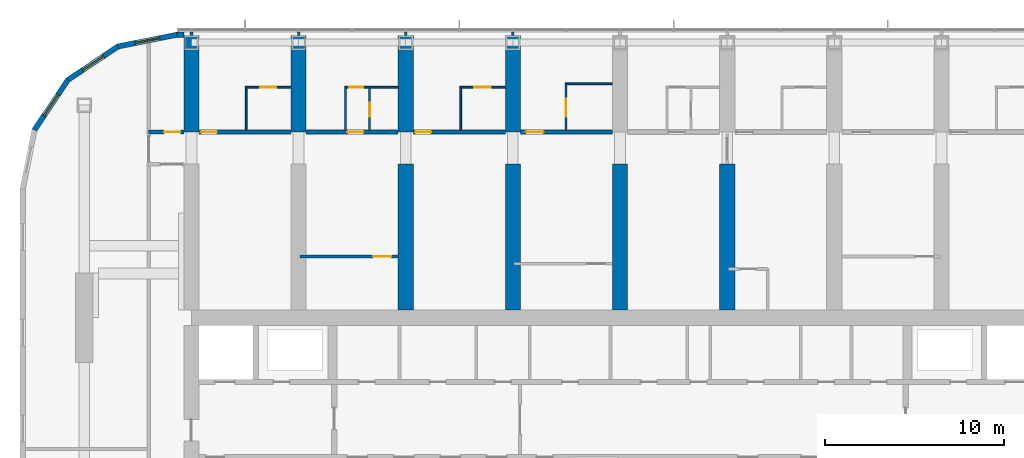
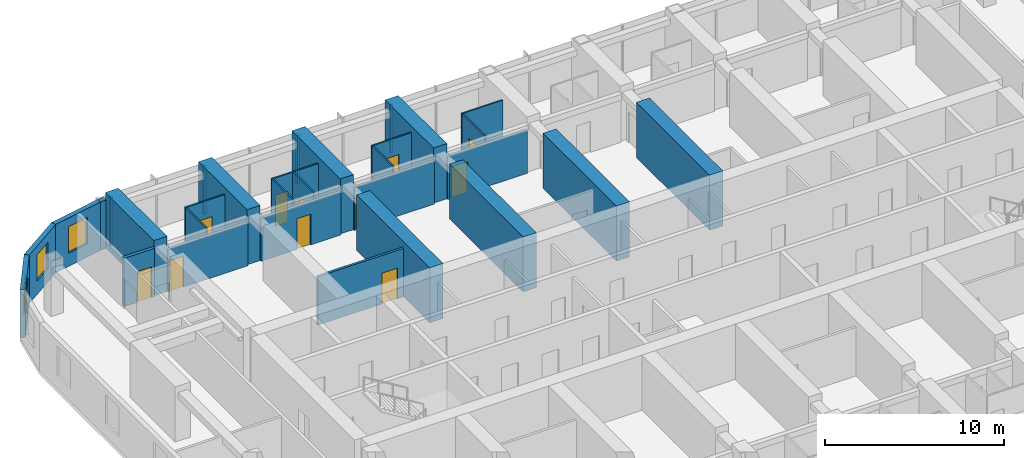
# One storey, part 15 of 22: 31 walls, 11 doors, 3 windows, 14 openings.
"""IFC4 building model written with IfcOpenShell, lengths in metres."""

from ifc_helpers import new_model, si_unit, direction, frame, frame_2d, origin, place, context, subcontext, project, spatial, polyline, rectangle, outline, extrude, material, layer, layer_set, type_object, element, fill, save


model = new_model("IFC4")

# Units and contexts
model_context = context("Model", 3, precision=1e-05, world=origin(), true_north=direction((0.0, 1.0)))
body_context = subcontext(model_context, "Body", "Model", "MODEL_VIEW")
ifc_project = project(units=[si_unit("LENGTHUNIT", "METRE"), si_unit("AREAUNIT", "SQUARE_METRE"), si_unit("VOLUMEUNIT", "CUBIC_METRE"), si_unit("PLANEANGLEUNIT", "RADIAN"), si_unit("MASSUNIT", "GRAM", prefix="KILO")], contexts=[model_context])

# Site, building, storey
site_placement = place(None, origin())
site = spatial("IfcSite", under=ifc_project, at=site_placement, CompositionType="ELEMENT")
building_placement = place(site_placement, origin())
building = spatial("IfcBuilding", under=site, at=building_placement, Name="Orbita Commons", CompositionType="ELEMENT")
storey_placement = place(building_placement, frame((0.0, 0.0, 144.85009765625)))
storey = spatial("IfcBuildingStorey", under=building, at=storey_placement, Name="L35", CompositionType="ELEMENT", Elevation=144.85009765625)

# Wall, opening, door
ifc_material_1 = material(Name="Concrete blockwork", Category="masonry")
ifc_layer_1 = layer(ifc_material_1, 0.199951171875)
ifc_layer_set_1 = layer_set([ifc_layer_1], Name="Concrete blockwork")
wall_type_1 = type_object("IfcWallType", Name="Corridor wall 200 blockwork", PredefinedType="SOLIDWALL", material=ifc_layer_set_1)
wall_1_placement = place(storey_placement, frame((15.60009765625, 48.60009765625, 0.0), z_axis=(0.0, 0.0, 1.0), x_axis=(1.0, 0.0, 0.0)))
wall_1 = element("IfcWall", 1, at=wall_1_placement, inside=storey, type_object=wall_type_1, Name="Corridor wall 200 blockwork L35", PredefinedType="SOLIDWALL", context=body_context, shape_type="SweptSolid", body=[
    extrude(rectangle(XDim=1.974853515625, YDim=0.199951171875, at=frame_2d((0.9873046875, 0.0))), origin(), (0.0, 0.0, 1.0), 3.2998046875),
])
opening_1_placement = place(wall_1_placement, frame((0.875, 0.0, 0.0)))
opening_1 = element("IfcOpeningElement", 2, at=opening_1_placement, cuts=wall_1, Name="Opening D05", PredefinedType="OPENING", context=body_context, shape_type="SweptSolid", body=[
    extrude(rectangle(XDim=0.89990234375, YDim=2.10009765625, at=frame_2d((0.449951171875, 1.050048828125))), frame((0.0, 0.10986328125, 0.0), z_axis=(0.0, -1.0, 0.0), x_axis=(1.0, 0.0, 0.0)), (0.0, 0.0, 1.0), 0.219970703125),
])
ifc_material_2 = material(Name="Steel-faced fire door leaf", Category="steel")
door_type_1 = type_object("IfcDoorType", Name="Service door 20 min 900x2100", OperationType="SINGLE_SWING_LEFT", PredefinedType="DOOR", material=ifc_material_2)
door_1_placement = place(opening_1_placement, origin())
door_1 = element("IfcDoor", 3, at=door_1_placement, inside=storey, type_object=door_type_1, Name="Linen store L35-KWN door", OperationType="SINGLE_SWING_LEFT", OverallHeight=2.10009765625, OverallWidth=0.89990234375, PredefinedType="DOOR", context=body_context, shape_type="SweptSolid", body=[
    extrude(rectangle(XDim=0.89990234375, YDim=2.10009765625, at=frame_2d((0.449951171875, 1.050048828125))), frame((0.0, 0.02490234375, 0.0), z_axis=(0.0, -1.0, 0.0), x_axis=(1.0, 0.0, 0.0)), (0.0, 0.0, 1.0), 0.050048828125),
])
fill(opening_1, door_1)

wall_2_placement = place(storey_placement, frame((18.425048828125, 48.60009765625, 0.0), z_axis=(0.0, 0.0, 1.0), x_axis=(1.0, 0.0, 0.0)))
wall_2 = element("IfcWall", 4, at=wall_2_placement, inside=storey, type_object=wall_type_1, Name="Corridor wall 200 blockwork L35", PredefinedType="SOLIDWALL", context=body_context, shape_type="SweptSolid", body=[
    extrude(outline(polyline([(0.0, 0.0), (5.14990234375, 0.0), (5.14990234375, 2.89990234375), (0.0, 2.89990234375), (0.0, 0.0)])), frame((0.0, 0.10009765625, 0.0), z_axis=(0.0, -1.0, 0.0), x_axis=(1.0, 0.0, 0.0)), (0.0, 0.0, 1.0), 0.199951171875),
])
opening_2_placement = place(wall_2_placement, frame((0.10009765625, 0.0, 0.0)))
opening_2 = element("IfcOpeningElement", 5, at=opening_2_placement, cuts=wall_2, Name="Opening D11", PredefinedType="OPENING", context=body_context, shape_type="SweptSolid", body=[
    extrude(rectangle(XDim=0.89990234375, YDim=2.10009765625, at=frame_2d((0.449951171875, 1.050048828125))), frame((0.0, 0.10986328125, 0.0), z_axis=(0.0, -1.0, 0.0), x_axis=(1.0, 0.0, 0.0)), (0.0, 0.0, 1.0), 0.219970703125),
])
ifc_material_3 = material(Name="Steel-faced fire door leaf", Category="steel")
door_type_2 = type_object("IfcDoorType", Name="Corridor door 20 min 900x2100", OperationType="SINGLE_SWING_LEFT", PredefinedType="DOOR", material=ifc_material_3)
door_2_placement = place(opening_2_placement, origin())
door_2 = element("IfcDoor", 6, at=door_2_placement, inside=storey, type_object=door_type_2, Name="Twin room L35-N00 door", OperationType="SINGLE_SWING_LEFT", OverallHeight=2.10009765625, OverallWidth=0.89990234375, PredefinedType="DOOR", context=body_context, shape_type="SweptSolid", body=[
    extrude(rectangle(XDim=0.89990234375, YDim=2.10009765625, at=frame_2d((0.449951171875, 1.050048828125))), frame((0.0, 0.02490234375, 0.0), z_axis=(0.0, -1.0, 0.0), x_axis=(1.0, 0.0, 0.0)), (0.0, 0.0, 1.0), 0.050048828125),
])
fill(opening_2, door_2)

wall_3_placement = place(storey_placement, frame((24.425048828125, 48.60009765625, 0.0), z_axis=(0.0, 0.0, 1.0), x_axis=(1.0, 0.0, 0.0)))
wall_3 = element("IfcWall", 7, at=wall_3_placement, inside=storey, type_object=wall_type_1, Name="Corridor wall 200 blockwork L35", PredefinedType="SOLIDWALL", context=body_context, shape_type="SweptSolid", body=[
    extrude(outline(polyline([(0.0, 0.0), (5.14990234375, 0.0), (5.14990234375, 2.89990234375), (0.0, 2.89990234375), (0.0, 0.0)])), frame((0.0, 0.10009765625, 0.0), z_axis=(0.0, -1.0, 0.0), x_axis=(1.0, 0.0, 0.0)), (0.0, 0.0, 1.0), 0.199951171875),
])
opening_3_placement = place(wall_3_placement, frame((2.300048828125, 0.0, 0.0)))
opening_3 = element("IfcOpeningElement", 8, at=opening_3_placement, cuts=wall_3, Name="Opening D11", PredefinedType="OPENING", context=body_context, shape_type="SweptSolid", body=[
    extrude(rectangle(XDim=0.89990234375, YDim=2.10009765625, at=frame_2d((0.449951171875, 1.050048828125))), frame((0.0, 0.10986328125, 0.0), z_axis=(0.0, -1.0, 0.0), x_axis=(1.0, 0.0, 0.0)), (0.0, 0.0, 1.0), 0.219970703125),
])
door_3_placement = place(opening_3_placement, origin())
door_3 = element("IfcDoor", 9, at=door_3_placement, inside=storey, type_object=door_type_2, Name="Studio flat L35-N02 entrance door", OperationType="SINGLE_SWING_LEFT", OverallHeight=2.10009765625, OverallWidth=0.89990234375, PredefinedType="DOOR", context=body_context, shape_type="SweptSolid", body=[
    extrude(rectangle(XDim=0.89990234375, YDim=2.10009765625, at=frame_2d((0.449951171875, 1.050048828125))), frame((0.0, 0.02490234375, 0.0), z_axis=(0.0, -1.0, 0.0), x_axis=(1.0, 0.0, 0.0)), (0.0, 0.0, 1.0), 0.050048828125),
])
fill(opening_3, door_3)

wall_4_placement = place(storey_placement, frame((30.425048828125, 48.60009765625, 0.0), z_axis=(0.0, 0.0, 1.0), x_axis=(1.0, 0.0, 0.0)))
wall_4 = element("IfcWall", 10, at=wall_4_placement, inside=storey, type_object=wall_type_1, Name="Corridor wall 200 blockwork L35", PredefinedType="SOLIDWALL", context=body_context, shape_type="SweptSolid", body=[
    extrude(outline(polyline([(0.0, 0.0), (5.14990234375, 0.0), (5.14990234375, 2.89990234375), (0.0, 2.89990234375), (0.0, 0.0)])), frame((0.0, 0.10009765625, 0.0), z_axis=(0.0, -1.0, 0.0), x_axis=(1.0, 0.0, 0.0)), (0.0, 0.0, 1.0), 0.199951171875),
])
opening_4_placement = place(wall_4_placement, frame((0.10009765625, 0.0, 0.0)))
opening_4 = element("IfcOpeningElement", 11, at=opening_4_placement, cuts=wall_4, Name="Opening D11", PredefinedType="OPENING", context=body_context, shape_type="SweptSolid", body=[
    extrude(rectangle(XDim=0.89990234375, YDim=2.10009765625, at=frame_2d((0.449951171875, 1.050048828125))), frame((0.0, 0.10986328125, 0.0), z_axis=(0.0, -1.0, 0.0), x_axis=(1.0, 0.0, 0.0)), (0.0, 0.0, 1.0), 0.219970703125),
])
door_4_placement = place(opening_4_placement, origin())
door_4 = element("IfcDoor", 12, at=door_4_placement, inside=storey, type_object=door_type_2, Name="Twin room L35-N04 door", OperationType="SINGLE_SWING_LEFT", OverallHeight=2.10009765625, OverallWidth=0.89990234375, PredefinedType="DOOR", context=body_context, shape_type="SweptSolid", body=[
    extrude(rectangle(XDim=0.89990234375, YDim=2.10009765625, at=frame_2d((0.449951171875, 1.050048828125))), frame((0.0, 0.02490234375, 0.0), z_axis=(0.0, -1.0, 0.0), x_axis=(1.0, 0.0, 0.0)), (0.0, 0.0, 1.0), 0.050048828125),
])
fill(opening_4, door_4)

wall_5_placement = place(storey_placement, frame((36.425048828125, 48.60009765625, 0.0), z_axis=(0.0, 0.0, 1.0), x_axis=(1.0, 0.0, 0.0)))
wall_5 = element("IfcWall", 13, at=wall_5_placement, inside=storey, type_object=wall_type_1, Name="Corridor wall 200 blockwork L35", PredefinedType="SOLIDWALL", context=body_context, shape_type="SweptSolid", body=[
    extrude(outline(polyline([(0.0, 0.0), (5.14990234375, 0.0), (5.14990234375, 2.89990234375), (0.0, 2.89990234375), (0.0, 0.0)])), frame((0.0, 0.10009765625, 0.0), z_axis=(0.0, -1.0, 0.0), x_axis=(1.0, 0.0, 0.0)), (0.0, 0.0, 1.0), 0.199951171875),
])
opening_5_placement = place(wall_5_placement, frame((0.300048828125, 0.0, 0.0)))
opening_5 = element("IfcOpeningElement", 14, at=opening_5_placement, cuts=wall_5, Name="Opening D06", PredefinedType="OPENING", context=body_context, shape_type="SweptSolid", body=[
    extrude(rectangle(XDim=1.0, YDim=2.10009765625, at=frame_2d((0.5, 1.050048828125))), frame((0.0, 0.10986328125, 0.0), z_axis=(0.0, -1.0, 0.0), x_axis=(1.0, 0.0, 0.0)), (0.0, 0.0, 1.0), 0.219970703125),
])
ifc_material_4 = material(Name="Steel-faced fire door leaf", Category="steel")
door_type_3 = type_object("IfcDoorType", Name="Corridor door 20 min 1000x2100", OperationType="SINGLE_SWING_LEFT", PredefinedType="DOOR", material=ifc_material_4)
door_5_placement = place(opening_5_placement, origin())
door_5 = element("IfcDoor", 15, at=door_5_placement, inside=storey, type_object=door_type_3, Name="Accessible bedroom L35-N06 door", OperationType="SINGLE_SWING_LEFT", OverallHeight=2.10009765625, OverallWidth=1.0, PredefinedType="DOOR", context=body_context, shape_type="SweptSolid", body=[
    extrude(rectangle(XDim=1.0, YDim=2.10009765625, at=frame_2d((0.5, 1.050048828125))), frame((0.0, 0.02490234375, 0.0), z_axis=(0.0, -1.0, 0.0), x_axis=(1.0, 0.0, 0.0)), (0.0, 0.0, 1.0), 0.050048828125),
])
fill(opening_5, door_5)

# Walls
ifc_material_5 = material(Name="Concrete C50/60", Category="concrete")
ifc_layer_2 = layer(ifc_material_5, 0.85009765625)
ifc_layer_set_2 = layer_set([ifc_layer_2], Name="Concrete C50/60")
wall_type_2 = type_object("IfcWallType", Name="Cross wall 850 C50/60", PredefinedType="SHEAR", material=ifc_layer_set_2)
for number, where, z_axis, x_axis, name in (
    (16, (18.0, 48.60009765625, 0.0), (0.0, 0.0, 1.0), (0.0, 1.0, 0.0), "Cross wall 4 north outer L35"),
    (17, (24.0, 48.60009765625, 0.0), (0.0, 0.0, 1.0), (0.0, 1.0, 0.0), "Cross wall 5 north outer L35"),
    (18, (30.0, 48.60009765625, 0.0), (0.0, 0.0, 1.0), (0.0, 1.0, 0.0), "Cross wall 6 north outer L35"),
):
    element("IfcWall", number, at=place(storey_placement, frame(where, z_axis=z_axis, x_axis=x_axis)), inside=storey, type_object=wall_type_2, Name=name, PredefinedType="SHEAR", context=body_context, shape_type="SweptSolid", body=[
        extrude(rectangle(XDim=5.39990234375, YDim=0.85009765625, at=frame_2d((2.699951171875, 0.0))), origin(), (0.0, 0.0, 1.0), 3.75),
    ])
wall_6_placement = place(storey_placement, frame((30.0, 38.625, 0.0), z_axis=(0.0, 0.0, 1.0), x_axis=(0.0, 1.0, 0.0)))
element("IfcWall", 19, at=wall_6_placement, inside=storey, type_object=wall_type_2, Name="Cross wall 6 north inner L35", PredefinedType="SHEAR", context=body_context, shape_type="SweptSolid", body=[
    extrude(rectangle(XDim=8.175048828125, YDim=0.85009765625, at=frame_2d((4.08740234375, 0.0))), origin(), (0.0, 0.0, 1.0), 3.75),
])
wall_7_placement = place(storey_placement, frame((36.0, 48.60009765625, 0.0), z_axis=(0.0, 0.0, 1.0), x_axis=(0.0, 1.0, 0.0)))
element("IfcWall", 20, at=wall_7_placement, inside=storey, type_object=wall_type_2, Name="Cross wall 7 north outer L35", PredefinedType="SHEAR", context=body_context, shape_type="SweptSolid", body=[
    extrude(rectangle(XDim=5.39990234375, YDim=0.85009765625, at=frame_2d((2.699951171875, 0.0))), origin(), (0.0, 0.0, 1.0), 3.75),
])
for number, where, z_axis, x_axis, name in (
    (21, (36.0, 38.625, 0.0), (0.0, 0.0, 1.0), (0.0, 1.0, 0.0), "Cross wall 7 north inner L35"),
    (22, (42.0, 38.625, 0.0), (0.0, 0.0, 1.0), (0.0, 1.0, 0.0), "Cross wall 8 north inner L35"),
    (23, (48.0, 38.625, 0.0), (0.0, 0.0, 1.0), (0.0, 1.0, 0.0), "Cross wall 9 north inner L35"),
):
    element("IfcWall", number, at=place(storey_placement, frame(where, z_axis=z_axis, x_axis=x_axis)), inside=storey, type_object=wall_type_2, Name=name, PredefinedType="SHEAR", context=body_context, shape_type="SweptSolid", body=[
        extrude(rectangle(XDim=8.175048828125, YDim=0.85009765625, at=frame_2d((4.08740234375, 0.0))), origin(), (0.0, 0.0, 1.0), 3.75),
    ])

# Wall, opening, door
ifc_material_6 = material(Name="Moisture-resistant plasterboard on steel studs", Category="steel")
ifc_layer_3 = layer(ifc_material_6, 0.10009765625)
ifc_layer_set_3 = layer_set([ifc_layer_3], Name="Moisture-resistant plasterboard on steel studs")
wall_type_3 = type_object("IfcWallType", Name="En-suite partition 100", PredefinedType="PARTITIONING", material=ifc_layer_set_3)
wall_8_placement = place(storey_placement, frame((21.02490234375, 51.10009765625, 0.0), z_axis=(0.0, 0.0, 1.0), x_axis=(1.0, 0.0, 0.0)))
wall_8 = element("IfcWall", 24, at=wall_8_placement, inside=storey, type_object=wall_type_3, Name="En-suite partition 100 L35", PredefinedType="PARTITIONING", context=body_context, shape_type="SweptSolid", body=[
    extrude(rectangle(XDim=2.550048828125, YDim=0.10009765625, at=frame_2d((1.27490234375, 0.0))), origin(), (0.0, 0.0, 1.0), 3.2998046875),
])
opening_6_placement = place(wall_8_placement, frame((0.824951171875, 0.0, 0.0)))
opening_6 = element("IfcOpeningElement", 25, at=opening_6_placement, cuts=wall_8, Name="Opening D09", PredefinedType="OPENING", context=body_context, shape_type="SweptSolid", body=[
    extrude(rectangle(XDim=0.89990234375, YDim=2.10009765625, at=frame_2d((0.449951171875, 1.050048828125))), frame((0.0, 0.06005859375, 0.0), z_axis=(0.0, -1.0, 0.0), x_axis=(1.0, 0.0, 0.0)), (0.0, 0.0, 1.0), 0.1201171875),
])
ifc_material_7 = material(Name="Laminated timber door leaf", Category="wood")
door_type_4 = type_object("IfcDoorType", Name="En-suite door 900x2100", OperationType="SINGLE_SWING_RIGHT", PredefinedType="DOOR", material=ifc_material_7)
door_6_placement = place(opening_6_placement, origin())
door_6 = element("IfcDoor", 26, at=door_6_placement, inside=storey, type_object=door_type_4, Name="En-suite L35-N00 door", OperationType="SINGLE_SWING_RIGHT", OverallHeight=2.10009765625, OverallWidth=0.89990234375, PredefinedType="DOOR", context=body_context, shape_type="SweptSolid", body=[
    extrude(rectangle(XDim=0.89990234375, YDim=2.10009765625, at=frame_2d((0.449951171875, 1.050048828125))), frame((0.0, 0.02490234375, 0.0), z_axis=(0.0, -1.0, 0.0), x_axis=(1.0, 0.0, 0.0)), (0.0, 0.0, 1.0), 0.050048828125),
])
fill(opening_6, door_6)

# Wall
wall_9_placement = place(storey_placement, frame((21.074951171875, 51.050048828125, 0.0), z_axis=(0.0, 0.0, 1.0), x_axis=(0.0, -1.0, 0.0)))
element("IfcWall", 27, at=wall_9_placement, inside=storey, type_object=wall_type_3, Name="En-suite partition 100 L35", PredefinedType="PARTITIONING", context=body_context, shape_type="SweptSolid", body=[
    extrude(outline(polyline([(0.0, 0.0), (2.35009765625, 0.0), (2.35009765625, 2.89990234375), (2.302001953125, 2.89990234375), (2.300048828125, 3.2998046875), (0.0, 3.2998046875), (0.0, 0.0)])), frame((0.0, 0.050048828125, 0.0), z_axis=(0.0, -1.0, 0.0), x_axis=(1.0, 0.0, 0.0)), (0.0, 0.0, 1.0), 0.10009765625),
])

# Wall, opening, door
wall_10_placement = place(storey_placement, frame((26.574951171875, 51.10009765625, 0.0), z_axis=(0.0, 0.0, 1.0), x_axis=(1.0, 0.0, 0.0)))
wall_10 = element("IfcWall", 28, at=wall_10_placement, inside=storey, type_object=wall_type_3, Name="En-suite partition 100 L35", PredefinedType="PARTITIONING", context=body_context, shape_type="SweptSolid", body=[
    extrude(rectangle(XDim=3.0, YDim=0.10009765625, at=frame_2d((1.5, 0.0))), origin(), (0.0, 0.0, 1.0), 3.2998046875),
])
opening_7_placement = place(wall_10_placement, frame((0.25, 0.0, 0.0)))
opening_7 = element("IfcOpeningElement", 29, at=opening_7_placement, cuts=wall_10, Name="Opening D16", PredefinedType="OPENING", context=body_context, shape_type="SweptSolid", body=[
    extrude(rectangle(XDim=0.800048828125, YDim=2.10009765625, at=frame_2d((0.39990234375, 1.050048828125))), frame((0.0, 0.06005859375, 0.0), z_axis=(0.0, -1.0, 0.0), x_axis=(1.0, 0.0, 0.0)), (0.0, 0.0, 1.0), 0.1201171875),
])
ifc_material_8 = material(Name="Laminated timber door leaf", Category="wood")
door_type_5 = type_object("IfcDoorType", Name="En-suite door 800x2100", OperationType="SINGLE_SWING_RIGHT", PredefinedType="DOOR", material=ifc_material_8)
door_7_placement = place(opening_7_placement, origin())
door_7 = element("IfcDoor", 30, at=door_7_placement, inside=storey, type_object=door_type_5, Name="Studio flat L35-N02 door", OperationType="SINGLE_SWING_RIGHT", OverallHeight=2.10009765625, OverallWidth=0.800048828125, PredefinedType="DOOR", context=body_context, shape_type="SweptSolid", body=[
    extrude(rectangle(XDim=0.800048828125, YDim=2.10009765625, at=frame_2d((0.39990234375, 1.050048828125))), frame((0.0, 0.02490234375, 0.0), z_axis=(0.0, -1.0, 0.0), x_axis=(1.0, 0.0, 0.0)), (0.0, 0.0, 1.0), 0.050048828125),
])
fill(opening_7, door_7)

# Wall
wall_11_placement = place(storey_placement, frame((26.625, 51.050048828125, 0.0), z_axis=(0.0, 0.0, 1.0), x_axis=(0.0, -1.0, 0.0)))
element("IfcWall", 31, at=wall_11_placement, inside=storey, type_object=wall_type_3, Name="En-suite partition 100 L35", PredefinedType="PARTITIONING", context=body_context, shape_type="SweptSolid", body=[
    extrude(outline(polyline([(0.0, 0.0), (2.35009765625, 0.0), (2.35009765625, 2.89990234375), (2.302001953125, 2.89990234375), (2.300048828125, 3.2998046875), (0.0, 3.2998046875), (0.0, 0.0)])), frame((0.0, 0.050048828125, 0.0), z_axis=(0.0, -1.0, 0.0), x_axis=(1.0, 0.0, 0.0)), (0.0, 0.0, 1.0), 0.10009765625),
])

# Wall, opening, door
wall_12_placement = place(storey_placement, frame((27.97509765625, 51.050048828125, 0.0), z_axis=(0.0, 0.0, 1.0), x_axis=(0.0, -1.0, 0.0)))
wall_12 = element("IfcWall", 32, at=wall_12_placement, inside=storey, type_object=wall_type_3, Name="En-suite partition 100 L35", PredefinedType="PARTITIONING", context=body_context, shape_type="SweptSolid", body=[
    extrude(outline(polyline([(0.0, 0.0), (2.35009765625, 0.0), (2.35009765625, 2.89990234375), (2.302001953125, 2.89990234375), (2.300048828125, 3.2998046875), (0.0, 3.2998046875), (0.0, 0.0)])), frame((0.0, 0.050048828125, 0.0), z_axis=(0.0, -1.0, 0.0), x_axis=(1.0, 0.0, 0.0)), (0.0, 0.0, 1.0), 0.10009765625),
])
opening_8_placement = place(wall_12_placement, frame((0.800048828125, 0.0, 0.0)))
opening_8 = element("IfcOpeningElement", 33, at=opening_8_placement, cuts=wall_12, Name="Opening D16", PredefinedType="OPENING", context=body_context, shape_type="SweptSolid", body=[
    extrude(rectangle(XDim=0.800048828125, YDim=2.10009765625, at=frame_2d((0.39990234375, 1.050048828125))), frame((0.0, 0.06005859375, 0.0), z_axis=(0.0, -1.0, 0.0), x_axis=(1.0, 0.0, 0.0)), (0.0, 0.0, 1.0), 0.1201171875),
])
door_8_placement = place(opening_8_placement, origin())
door_8 = element("IfcDoor", 34, at=door_8_placement, inside=storey, type_object=door_type_5, Name="Studio flat shower room L35-N02 door", OperationType="SINGLE_SWING_RIGHT", OverallHeight=2.10009765625, OverallWidth=0.800048828125, PredefinedType="DOOR", context=body_context, shape_type="SweptSolid", body=[
    extrude(rectangle(XDim=0.800048828125, YDim=2.10009765625, at=frame_2d((0.39990234375, 1.050048828125))), frame((0.0, 0.02490234375, 0.0), z_axis=(0.0, -1.0, 0.0), x_axis=(1.0, 0.0, 0.0)), (0.0, 0.0, 1.0), 0.050048828125),
])
fill(opening_8, door_8)

wall_13_placement = place(storey_placement, frame((33.02490234375, 51.10009765625, 0.0), z_axis=(0.0, 0.0, 1.0), x_axis=(1.0, 0.0, 0.0)))
wall_13 = element("IfcWall", 35, at=wall_13_placement, inside=storey, type_object=wall_type_3, Name="En-suite partition 100 L35", PredefinedType="PARTITIONING", context=body_context, shape_type="SweptSolid", body=[
    extrude(rectangle(XDim=2.550048828125, YDim=0.10009765625, at=frame_2d((1.27490234375, 0.0))), origin(), (0.0, 0.0, 1.0), 3.2998046875),
])
opening_9_placement = place(wall_13_placement, frame((0.824951171875, 0.0, 0.0)))
opening_9 = element("IfcOpeningElement", 36, at=opening_9_placement, cuts=wall_13, Name="Opening D09", PredefinedType="OPENING", context=body_context, shape_type="SweptSolid", body=[
    extrude(rectangle(XDim=0.89990234375, YDim=2.10009765625, at=frame_2d((0.449951171875, 1.050048828125))), frame((0.0, 0.06005859375, 0.0), z_axis=(0.0, -1.0, 0.0), x_axis=(1.0, 0.0, 0.0)), (0.0, 0.0, 1.0), 0.1201171875),
])
door_9_placement = place(opening_9_placement, origin())
door_9 = element("IfcDoor", 37, at=door_9_placement, inside=storey, type_object=door_type_4, Name="En-suite L35-N04 door", OperationType="SINGLE_SWING_RIGHT", OverallHeight=2.10009765625, OverallWidth=0.89990234375, PredefinedType="DOOR", context=body_context, shape_type="SweptSolid", body=[
    extrude(rectangle(XDim=0.89990234375, YDim=2.10009765625, at=frame_2d((0.449951171875, 1.050048828125))), frame((0.0, 0.02490234375, 0.0), z_axis=(0.0, -1.0, 0.0), x_axis=(1.0, 0.0, 0.0)), (0.0, 0.0, 1.0), 0.050048828125),
])
fill(opening_9, door_9)

# Walls
wall_14_placement = place(storey_placement, frame((33.074951171875, 51.050048828125, 0.0), z_axis=(0.0, 0.0, 1.0), x_axis=(0.0, -1.0, 0.0)))
element("IfcWall", 38, at=wall_14_placement, inside=storey, type_object=wall_type_3, Name="En-suite partition 100 L35", PredefinedType="PARTITIONING", context=body_context, shape_type="SweptSolid", body=[
    extrude(outline(polyline([(0.0, 0.0), (2.35009765625, 0.0), (2.35009765625, 2.89990234375), (2.302001953125, 2.89990234375), (2.300048828125, 3.2998046875), (0.0, 3.2998046875), (0.0, 0.0)])), frame((0.0, 0.050048828125, 0.0), z_axis=(0.0, -1.0, 0.0), x_axis=(1.0, 0.0, 0.0)), (0.0, 0.0, 1.0), 0.10009765625),
])
wall_15_placement = place(storey_placement, frame((38.925048828125, 51.300048828125, 0.0), z_axis=(0.0, 0.0, 1.0), x_axis=(1.0, 0.0, 0.0)))
element("IfcWall", 39, at=wall_15_placement, inside=storey, type_object=wall_type_3, Name="En-suite partition 100 L35", PredefinedType="PARTITIONING", context=body_context, shape_type="SweptSolid", body=[
    extrude(rectangle(XDim=2.64990234375, YDim=0.10009765625, at=frame_2d((1.324951171875, 0.0))), origin(), (0.0, 0.0, 1.0), 3.2998046875),
])

# Wall, opening, door
wall_16_placement = place(storey_placement, frame((38.97509765625, 51.25, 0.0), z_axis=(0.0, 0.0, 1.0), x_axis=(0.0, -1.0, 0.0)))
wall_16 = element("IfcWall", 40, at=wall_16_placement, inside=storey, type_object=wall_type_3, Name="En-suite partition 100 L35", PredefinedType="PARTITIONING", context=body_context, shape_type="SweptSolid", body=[
    extrude(outline(polyline([(0.0, 0.0), (2.550048828125, 0.0), (2.550048828125, 2.89990234375), (2.501953125, 2.89990234375), (2.5, 3.2998046875), (0.0, 3.2998046875), (0.0, 0.0)])), frame((0.0, 0.050048828125, 0.0), z_axis=(0.0, -1.0, 0.0), x_axis=(1.0, 0.0, 0.0)), (0.0, 0.0, 1.0), 0.10009765625),
])
opening_10_placement = place(wall_16_placement, frame((0.800048828125, 0.0, 0.0)))
opening_10 = element("IfcOpeningElement", 41, at=opening_10_placement, cuts=wall_16, Name="Opening D13", PredefinedType="OPENING", context=body_context, shape_type="SweptSolid", body=[
    extrude(rectangle(XDim=1.0, YDim=2.10009765625, at=frame_2d((0.5, 1.050048828125))), frame((0.0, 0.06005859375, 0.0), z_axis=(0.0, -1.0, 0.0), x_axis=(1.0, 0.0, 0.0)), (0.0, 0.0, 1.0), 0.1201171875),
])
ifc_material_9 = material(Name="Laminated timber door leaf", Category="wood")
door_type_6 = type_object("IfcDoorType", Name="En-suite door 1000x2100", OperationType="SINGLE_SWING_RIGHT", PredefinedType="DOOR", material=ifc_material_9)
door_10_placement = place(opening_10_placement, origin())
door_10 = element("IfcDoor", 42, at=door_10_placement, inside=storey, type_object=door_type_6, Name="Accessible shower room L35-N06 door", OperationType="SINGLE_SWING_RIGHT", OverallHeight=2.10009765625, OverallWidth=1.0, PredefinedType="DOOR", context=body_context, shape_type="SweptSolid", body=[
    extrude(rectangle(XDim=1.0, YDim=2.10009765625, at=frame_2d((0.5, 1.050048828125))), frame((0.0, 0.02490234375, 0.0), z_axis=(0.0, -1.0, 0.0), x_axis=(1.0, 0.0, 0.0)), (0.0, 0.0, 1.0), 0.050048828125),
])
fill(opening_10, door_10)

ifc_material_10 = material(Name="Gypsum plasterboard on steel studs", Category="steel")
ifc_layer_4 = layer(ifc_material_10, 0.14990234375)
ifc_layer_set_4 = layer_set([ifc_layer_4], Name="Gypsum plasterboard on steel studs")
wall_type_4 = type_object("IfcWallType", Name="Partition 150 plasterboard", PredefinedType="PARTITIONING", material=ifc_layer_set_4)
wall_17_placement = place(storey_placement, frame((29.574951171875, 41.625, 0.0), z_axis=(0.0, 0.0, 1.0), x_axis=(-1.0, 0.0, 0.0)))
wall_17 = element("IfcWall", 43, at=wall_17_placement, inside=storey, type_object=wall_type_4, Name="Partition 150 plasterboard L35", PredefinedType="PARTITIONING", context=body_context, shape_type="SweptSolid", body=[
    extrude(rectangle(XDim=5.5, YDim=0.14990234375, at=frame_2d((2.75, 0.0))), origin(), (0.0, 0.0, 1.0), 3.2998046875),
])
opening_11_placement = place(wall_17_placement, frame((0.39990234375, 0.0, 0.0)))
opening_11 = element("IfcOpeningElement", 44, at=opening_11_placement, cuts=wall_17, Name="Opening D17", PredefinedType="OPENING", context=body_context, shape_type="SweptSolid", body=[
    extrude(rectangle(XDim=1.0, YDim=2.10009765625, at=frame_2d((0.5, 1.050048828125))), frame((0.0, 0.0849609375, 0.0), z_axis=(0.0, -1.0, 0.0), x_axis=(1.0, 0.0, 0.0)), (0.0, 0.0, 1.0), 0.169921875),
])
ifc_material_11 = material(Name="Steel-faced fire door leaf", Category="steel")
door_type_7 = type_object("IfcDoorType", Name="Shaft access door 90 min 1000x2100", OperationType="SINGLE_SWING_LEFT", PredefinedType="DOOR", material=ifc_material_11)
door_11_placement = place(opening_11_placement, origin())
door_11 = element("IfcDoor", 45, at=door_11_placement, inside=storey, type_object=door_type_7, Name="Ventilation plant room north L35-BDN24 door", OperationType="SINGLE_SWING_LEFT", OverallHeight=2.10009765625, OverallWidth=1.0, PredefinedType="DOOR", context=body_context, shape_type="SweptSolid", body=[
    extrude(rectangle(XDim=1.0, YDim=2.10009765625, at=frame_2d((0.5, 1.050048828125))), frame((0.0, 0.02490234375, 0.0), z_axis=(0.0, -1.0, 0.0), x_axis=(1.0, 0.0, 0.0)), (0.0, 0.0, 1.0), 0.050048828125),
])
fill(opening_11, door_11)

# Walls
for number, where, z_axis, x_axis, name in (
    (46, (18.0, 54.0, 0.0), (0.0, 0.0, 1.0), (0.0, 1.0, 0.0), "Partition 150 plasterboard L35"),
    (47, (24.0, 54.0, 0.0), (0.0, 0.0, 1.0), (0.0, 1.0, 0.0), "Partition 150 plasterboard L35"),
    (48, (30.0, 54.0, 0.0), (0.0, 0.0, 1.0), (0.0, 1.0, 0.0), "Partition 150 plasterboard L35"),
    (49, (36.0, 54.0, 0.0), (0.0, 0.0, 1.0), (0.0, 1.0, 0.0), "Partition 150 plasterboard L35"),
):
    element("IfcWall", number, at=place(storey_placement, frame(where, z_axis=z_axis, x_axis=x_axis)), inside=storey, type_object=wall_type_4, Name=name, PredefinedType="PARTITIONING", context=body_context, shape_type="SweptSolid", body=[
        extrude(rectangle(XDim=0.18994140625, YDim=0.14990234375, at=frame_2d((0.094970703125, 0.0))), origin(), (0.0, 0.0, 1.0), 3.2998046875),
    ])

# Wall, opening, window
ifc_material_12 = material(Name="Precast concrete C40/50, white board-marked finish", Category="concrete")
ifc_layer_5 = layer(ifc_material_12, 0.300048828125)
ifc_layer_set_5 = layer_set([ifc_layer_5], Name="Precast concrete C40/50, white board-marked finish")
wall_type_5 = type_object("IfcWallType", Name="Precast concrete end shield 300", PredefinedType="SOLIDWALL", material=ifc_layer_set_5)
wall_18_placement = place(storey_placement, frame((17.199951171875, 54.050048828125, 0.0), z_axis=(0.0, 0.0, 1.0), x_axis=(-0.98078325777, -0.195100490205, 0.0)))
wall_18 = element("IfcWall", 50, at=wall_18_placement, inside=storey, type_object=wall_type_5, Name="End shield NW chord 1 L35", PredefinedType="SOLIDWALL", context=body_context, shape_type="SweptSolid", body=[
    extrude(outline(polyline([(-0.02978515625, -0.14990234375), (3.40478515625, -0.14990234375), (3.34521484375, 0.14990234375), (0.02978515625, 0.14990234375), (-0.02978515625, -0.14990234375)])), origin(), (0.0, 0.0, 1.0), 3.2998046875),
])
opening_12_placement = place(wall_18_placement, frame((0.987548828125, 0.0, 0.89990234375)))
opening_12 = element("IfcOpeningElement", 51, at=opening_12_placement, cuts=wall_18, Name="Opening W02", PredefinedType="OPENING", context=body_context, shape_type="SweptSolid", body=[
    extrude(rectangle(XDim=1.39990234375, YDim=1.800048828125, at=frame_2d((0.699951171875, 0.89990234375))), frame((0.0, 0.159912109375, 0.0), z_axis=(0.0, -1.0, 0.0), x_axis=(1.0, 0.0, 0.0)), (0.0, 0.0, 1.0), 0.320068359375),
])
ifc_material_13 = material(Name="Aluminium frame, clear double glazing", Category="aluminium")
window_type = type_object("IfcWindowType", Name="Deep-set window 1400x1800", PartitioningType="SINGLE_PANEL", PredefinedType="WINDOW", material=ifc_material_13)
window_1_placement = place(opening_12_placement, origin())
window_1 = element("IfcWindow", 52, at=window_1_placement, inside=storey, type_object=window_type, Name="Window L35-NW0", OverallHeight=1.800048828125, OverallWidth=1.39990234375, PartitioningType="SINGLE_PANEL", PredefinedType="WINDOW", context=body_context, shape_type="SweptSolid", body=[
    extrude(rectangle(XDim=1.39990234375, YDim=1.800048828125, at=frame_2d((0.699951171875, 0.89990234375))), frame((0.0, 0.030029296875, 0.0), z_axis=(0.0, -1.0, 0.0), x_axis=(1.0, 0.0, 0.0)), (0.0, 0.0, 1.0), 0.06005859375),
])
fill(opening_12, window_1)

wall_19_placement = place(storey_placement, frame((13.889892578125, 53.3916015625, 0.0), z_axis=(0.0, 0.0, 1.0), x_axis=(-0.831493450887, -0.555534554399, 0.0)))
wall_19 = element("IfcWall", 53, at=wall_19_placement, inside=storey, type_object=wall_type_5, Name="End shield NW chord 2 L35", PredefinedType="SOLIDWALL", context=body_context, shape_type="SweptSolid", body=[
    extrude(outline(polyline([(-0.02978515625, -0.14990234375), (3.405029296875, -0.14990234375), (3.345458984375, 0.14990234375), (0.02978515625, 0.14990234375), (-0.02978515625, -0.14990234375)])), origin(), (0.0, 0.0, 1.0), 3.2998046875),
])
opening_13_placement = place(wall_19_placement, frame((0.987548828125, 0.0, 0.89990234375)))
opening_13 = element("IfcOpeningElement", 54, at=opening_13_placement, cuts=wall_19, Name="Opening W02", PredefinedType="OPENING", context=body_context, shape_type="SweptSolid", body=[
    extrude(rectangle(XDim=1.39990234375, YDim=1.800048828125, at=frame_2d((0.699951171875, 0.89990234375))), frame((0.0, 0.159912109375, 0.0), z_axis=(0.0, -1.0, 0.0), x_axis=(1.0, 0.0, 0.0)), (0.0, 0.0, 1.0), 0.320068359375),
])
window_2_placement = place(opening_13_placement, origin())
window_2 = element("IfcWindow", 55, at=window_2_placement, inside=storey, type_object=window_type, Name="Window L35-NW1", OverallHeight=1.800048828125, OverallWidth=1.39990234375, PartitioningType="SINGLE_PANEL", PredefinedType="WINDOW", context=body_context, shape_type="SweptSolid", body=[
    extrude(rectangle(XDim=1.39990234375, YDim=1.800048828125, at=frame_2d((0.699951171875, 0.89990234375))), frame((0.0, 0.030029296875, 0.0), z_axis=(0.0, -1.0, 0.0), x_axis=(1.0, 0.0, 0.0)), (0.0, 0.0, 1.0), 0.06005859375),
])
fill(opening_13, window_2)

wall_20_placement = place(storey_placement, frame((11.08349609375, 51.5166015625, 0.0), z_axis=(0.0, 0.0, 1.0), x_axis=(-0.555534554399, -0.831493450887, 0.0)))
wall_20 = element("IfcWall", 56, at=wall_20_placement, inside=storey, type_object=wall_type_5, Name="End shield NW chord 3 L35", PredefinedType="SOLIDWALL", context=body_context, shape_type="SweptSolid", body=[
    extrude(outline(polyline([(-0.02978515625, -0.14990234375), (3.405029296875, -0.14990234375), (3.345458984375, 0.14990234375), (0.02978515625, 0.14990234375), (-0.02978515625, -0.14990234375)])), origin(), (0.0, 0.0, 1.0), 3.2998046875),
])
opening_14_placement = place(wall_20_placement, frame((0.987548828125, 0.0, 0.89990234375)))
opening_14 = element("IfcOpeningElement", 57, at=opening_14_placement, cuts=wall_20, Name="Opening W02", PredefinedType="OPENING", context=body_context, shape_type="SweptSolid", body=[
    extrude(rectangle(XDim=1.39990234375, YDim=1.800048828125, at=frame_2d((0.699951171875, 0.89990234375))), frame((0.0, 0.159912109375, 0.0), z_axis=(0.0, -1.0, 0.0), x_axis=(1.0, 0.0, 0.0)), (0.0, 0.0, 1.0), 0.320068359375),
])
window_3_placement = place(opening_14_placement, origin())
window_3 = element("IfcWindow", 58, at=window_3_placement, inside=storey, type_object=window_type, Name="Window L35-NW2", OverallHeight=1.800048828125, OverallWidth=1.39990234375, PartitioningType="SINGLE_PANEL", PredefinedType="WINDOW", context=body_context, shape_type="SweptSolid", body=[
    extrude(rectangle(XDim=1.39990234375, YDim=1.800048828125, at=frame_2d((0.699951171875, 0.89990234375))), frame((0.0, 0.030029296875, 0.0), z_axis=(0.0, -1.0, 0.0), x_axis=(1.0, 0.0, 0.0)), (0.0, 0.0, 1.0), 0.06005859375),
])
fill(opening_14, window_3)

# Wall
wall_21_placement = place(storey_placement, frame((17.199951171875, 54.050048828125, 0.0), z_axis=(0.0, 0.0, 1.0), x_axis=(1.0, 0.0, 0.0)))
element("IfcWall", 59, at=wall_21_placement, inside=storey, type_object=wall_type_5, Name="End shield NW closer L35", PredefinedType="SOLIDWALL", context=body_context, shape_type="SweptSolid", body=[
    extrude(rectangle(XDim=0.375, YDim=0.300048828125, at=frame_2d((0.1875, 0.0))), origin(), (0.0, 0.0, 1.0), 3.2998046875),
])

save(model, "model.ifc")
